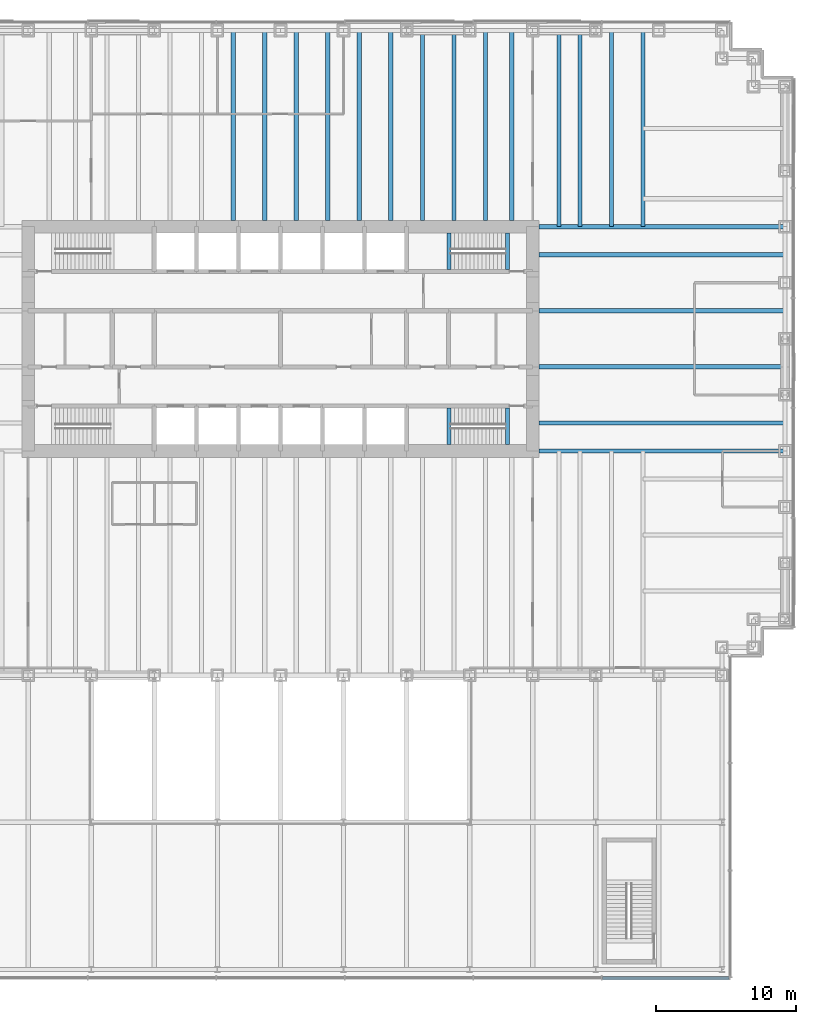
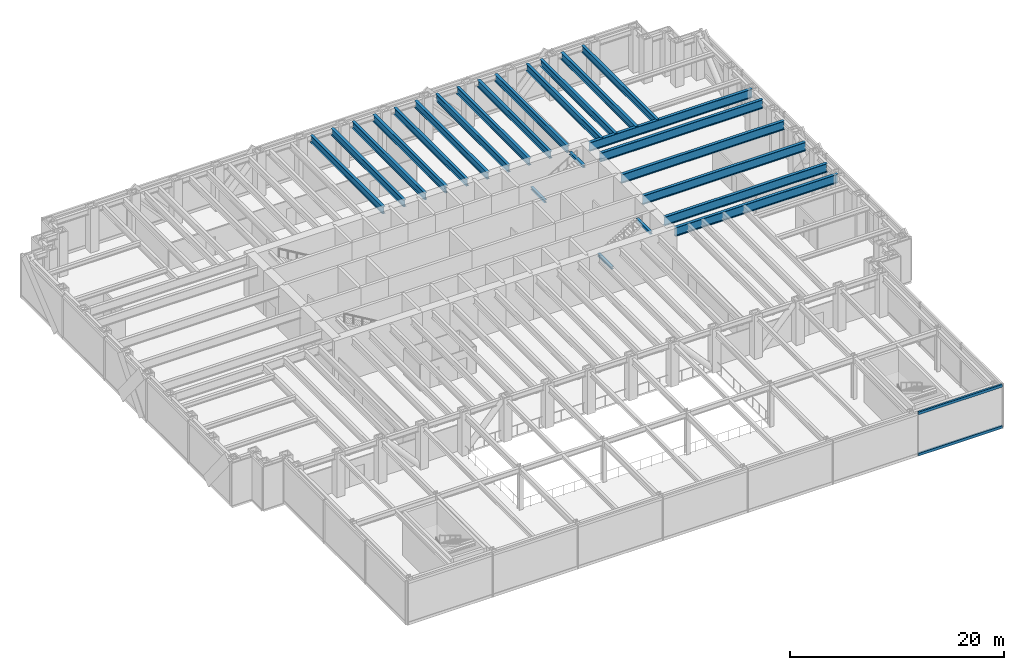
# One storey, part 6 of 17: 24 beams, 2 members, 1 element without a shape of its own.
"""IFC4 building model written with IfcOpenShell, lengths in metres."""

from ifc_helpers import new_model, si_unit, direction, frame, origin, origin_2d, place, context, subcontext, project, spatial, rectangle, i_section, extrude, material, material_profile, profile_set, type_object, element, aggregate, save


model = new_model("IFC4")

# Units and contexts
model_context = context("Model", 3, precision=1e-05, world=origin(), true_north=direction((0.0, 1.0)))
body_context = subcontext(model_context, "Body", "Model", "MODEL_VIEW")
ifc_project = project(units=[si_unit("LENGTHUNIT", "METRE"), si_unit("AREAUNIT", "SQUARE_METRE"), si_unit("VOLUMEUNIT", "CUBIC_METRE"), si_unit("PLANEANGLEUNIT", "RADIAN"), si_unit("MASSUNIT", "GRAM", prefix="KILO")], contexts=[model_context])

# Site, building, storey
site_placement = place(None, origin())
site = spatial("IfcSite", under=ifc_project, at=site_placement, CompositionType="ELEMENT")
building_placement = place(site_placement, origin())
building = spatial("IfcBuilding", under=site, at=building_placement, Name="Rheinbord Bourse Tower", CompositionType="ELEMENT")
storey_placement = place(building_placement, frame((0.0, 0.0, 18.0)))
storey = spatial("IfcBuildingStorey", under=building, at=storey_placement, Name="L03", CompositionType="ELEMENT", Elevation=18.0)

# Curtain wall, members
ifc_material_1 = material(Name="Dark glass and black aluminium", Category="aluminium")
curtain_wall_type = type_object("IfcCurtainWallType", Name="CW4 DARK GLASS CURTAIN WALL", PredefinedType="USERDEFINED", material=ifc_material_1)
curtain_wall_placement = place(storey_placement, origin())
curtain_wall = element("IfcCurtainWall", 1, at=curtain_wall_placement, inside=storey, type_object=curtain_wall_type, Name="Curtain wall CW4 S L03", ObjectType="UNITISED CURTAIN WALL", PredefinedType="USERDEFINED")
ifc_material_2 = material(Name="Black anodised aluminium", Category="aluminium")
ifc_material_profile_1 = material_profile(ifc_material_2, rectangle(XDim=0.199951171875, YDim=0.300048828125, at=origin_2d()), Name="CW4 TRANSOM 300x200")
ifc_profile_set_1 = profile_set([ifc_material_profile_1], Name="Black anodised aluminium")
member_type = type_object("IfcMemberType", Name="CW4 BLACK TRANSOM", PredefinedType="USERDEFINED", material=ifc_profile_set_1)
member_1_placement = place(storey_placement, frame((58.9736328125, -21.60009765625, 0.14990234375), z_axis=(1.0, 0.0, 0.0), x_axis=(0.0, 1.0, 0.0)))
member_1 = element("IfcMember", 2, at=member_1_placement, type_object=member_type, Name="CW4 transom 7.1", ObjectType="TRANSOM", PredefinedType="USERDEFINED", context=body_context, shape_type="SweptSolid", body=[
    extrude(rectangle(XDim=0.199951171875, YDim=0.300048828125, at=origin_2d()), origin(), (0.0, 0.0, 1.0), 9.036376953125),
])
member_2_placement = place(storey_placement, frame((58.9736328125, -21.60009765625, 4.85009765625), z_axis=(1.0, 0.0, 0.0), x_axis=(0.0, 1.0, 0.0)))
member_2 = element("IfcMember", 3, at=member_2_placement, type_object=member_type, Name="CW4 transom 7.2", ObjectType="TRANSOM", PredefinedType="USERDEFINED", context=body_context, shape_type="SweptSolid", body=[
    extrude(rectangle(XDim=0.199951171875, YDim=0.300048828125, at=origin_2d()), origin(), (0.0, 0.0, 1.0), 9.036376953125),
])
aggregate(curtain_wall, [member_1, member_2])

# Beams
ifc_material_3 = material(Name="Steel S460", Category="steel")
ifc_material_profile_2 = material_profile(ifc_material_3, i_section(OverallWidth=0.302001953125, OverallDepth=1.008056640625, WebThickness=0.02099609375, FlangeThickness=0.0400390625, at=origin_2d()), Name="HEM 1000")
ifc_profile_set_2 = profile_set([ifc_material_profile_2], Name="Steel S460")
beam_type_1 = type_object("IfcBeamType", Name="END BEAM HEM 1000", PredefinedType="BEAM", material=ifc_profile_set_2)
for number, where, z_axis, x_axis, name in (
    (4, (54.449951171875, 18.0, 4.31591796875), (1.0, 0.0, 0.0), (0.0, 1.0, 0.0), "End beam east 18 L04"),
    (5, (54.449951171875, 22.0, 4.31591796875), (1.0, 0.0, 0.0), (0.0, 1.0, 0.0), "End beam east 22 L04"),
    (6, (54.449951171875, 26.0, 4.31591796875), (1.0, 0.0, 0.0), (0.0, 1.0, 0.0), "End beam east 26 L04"),
    (7, (54.449951171875, 30.0, 4.31591796875), (1.0, 0.0, 0.0), (0.0, 1.0, 0.0), "End beam east 30 L04"),
):
    element("IfcBeam", number, at=place(storey_placement, frame(where, z_axis=z_axis, x_axis=x_axis)), inside=storey, type_object=beam_type_1, Name=name, PredefinedType="BEAM", context=body_context, shape_type="SweptSolid", body=[
        extrude(i_section(OverallWidth=0.302001953125, OverallDepth=1.008056640625, WebThickness=0.02099609375, FlangeThickness=0.0400390625, at=origin_2d()), origin(), (0.0, 0.0, 1.0), 17.550048828125),
    ])
ifc_material_4 = material(Name="Steel S460", Category="steel")
ifc_material_profile_3 = material_profile(ifc_material_4, i_section(OverallWidth=0.300048828125, OverallDepth=0.800048828125, WebThickness=0.017578125, FlangeThickness=0.032958984375, at=origin_2d()), Name="HEB 800")
ifc_profile_set_3 = profile_set([ifc_material_profile_3], Name="Steel S460")
beam_type_2 = type_object("IfcBeamType", Name="FLOOR BEAM HEB 800", PredefinedType="BEAM", material=ifc_profile_set_3)
for number, where, z_axis, x_axis, name in (
    (8, (32.625, 46.0, 4.419921875), (0.0, -1.0, 0.0), (1.0, 0.0, 0.0), "Floor beam N-31.5a L04"),
    (9, (34.875, 46.0, 4.419921875), (0.0, -1.0, 0.0), (1.0, 0.0, 0.0), "Floor beam N-31.5b L04"),
    (10, (37.125, 46.0, 4.419921875), (0.0, -1.0, 0.0), (1.0, 0.0, 0.0), "Floor beam N-36a L04"),
    (11, (39.375, 46.0, 4.419921875), (0.0, -1.0, 0.0), (1.0, 0.0, 0.0), "Floor beam N-36b L04"),
    (12, (41.625, 46.0, 4.419921875), (0.0, -1.0, 0.0), (1.0, 0.0, 0.0), "Floor beam N-40.5a L04"),
    (13, (43.875, 46.0, 4.419921875), (0.0, -1.0, 0.0), (1.0, 0.0, 0.0), "Floor beam N-40.5b L04"),
    (14, (46.125, 46.0, 4.419921875), (0.0, -1.0, 0.0), (1.0, 0.0, 0.0), "Floor beam N-45a L04"),
    (15, (48.375, 46.0, 4.419921875), (0.0, -1.0, 0.0), (1.0, 0.0, 0.0), "Floor beam N-45b L04"),
    (16, (50.625, 46.0, 4.419921875), (0.0, -1.0, 0.0), (1.0, 0.0, 0.0), "Floor beam N-49.5a L04"),
    (17, (52.5, 46.0, 4.419921875), (0.0, -1.0, 0.0), (1.0, 0.0, 0.0), "Floor beam N-49.5b L04"),
):
    element("IfcBeam", number, at=place(storey_placement, frame(where, z_axis=z_axis, x_axis=x_axis)), inside=storey, type_object=beam_type_2, Name=name, PredefinedType="BEAM", context=body_context, shape_type="SweptSolid", body=[
        extrude(i_section(OverallWidth=0.300048828125, OverallDepth=0.800048828125, WebThickness=0.017578125, FlangeThickness=0.032958984375, at=origin_2d()), origin(), (0.0, 0.0, 1.0), 13.550048828125),
    ])
for number, where, z_axis, x_axis, name in (
    (18, (55.875, 46.0, 4.419921875), (0.0, -1.0, 0.0), (1.0, 0.0, 0.0), "Floor beam N-54a L04"),
    (19, (57.375, 46.0, 4.419921875), (0.0, -1.0, 0.0), (1.0, 0.0, 0.0), "Floor beam N-54b L04"),
    (20, (59.625, 46.0, 4.419921875), (0.0, -1.0, 0.0), (1.0, 0.0, 0.0), "Floor beam N-58.5a L04"),
    (21, (61.875, 46.0, 4.419921875), (0.0, -1.0, 0.0), (1.0, 0.0, 0.0), "Floor beam N-58.5b L04"),
):
    element("IfcBeam", number, at=place(storey_placement, frame(where, z_axis=z_axis, x_axis=x_axis)), inside=storey, type_object=beam_type_2, Name=name, PredefinedType="BEAM", context=body_context, shape_type="SweptSolid", body=[
        extrude(i_section(OverallWidth=0.300048828125, OverallDepth=0.800048828125, WebThickness=0.017578125, FlangeThickness=0.032958984375, at=origin_2d()), origin(), (0.0, 0.0, 1.0), 14.0),
    ])
ifc_material_5 = material(Name="Steel S460", Category="steel")
ifc_material_profile_4 = material_profile(ifc_material_5, i_section(OverallWidth=0.302001953125, OverallDepth=1.008056640625, WebThickness=0.02099609375, FlangeThickness=0.0400390625, at=origin_2d()), Name="HEM 1000")
ifc_profile_set_4 = profile_set([ifc_material_profile_4], Name="Steel S460")
beam_type_3 = type_object("IfcBeamType", Name="GIRDER HEM 1000", PredefinedType="BEAM", material=ifc_profile_set_4)
for number, where, z_axis, x_axis, name in (
    (22, (54.449951171875, 16.0, 4.31591796875), (1.0, 0.0, 0.0), (0.0, 1.0, 0.0), "Girder east 16 L04"),
    (23, (54.449951171875, 32.0, 4.31591796875), (1.0, 0.0, 0.0), (0.0, 1.0, 0.0), "Girder east 32 L04"),
):
    element("IfcBeam", number, at=place(storey_placement, frame(where, z_axis=z_axis, x_axis=x_axis)), inside=storey, type_object=beam_type_3, Name=name, PredefinedType="BEAM", context=body_context, shape_type="SweptSolid", body=[
        extrude(i_section(OverallWidth=0.302001953125, OverallDepth=1.008056640625, WebThickness=0.02099609375, FlangeThickness=0.0400390625, at=origin_2d()), origin(), (0.0, 0.0, 1.0), 17.550048828125),
    ])
ifc_material_6 = material(Name="Steel S460", Category="steel")
ifc_material_profile_5 = material_profile(ifc_material_6, i_section(OverallWidth=0.300048828125, OverallDepth=0.300048828125, WebThickness=0.010986328125, FlangeThickness=0.01904296875, at=origin_2d()), Name="HEB 300")
ifc_profile_set_5 = profile_set([ifc_material_profile_5], Name="Steel S460")
beam_type_4 = type_object("IfcBeamType", Name="LANDING TRIMMER HEB 300", PredefinedType="BEAM", material=ifc_profile_set_5)
for number, where, z_axis, x_axis, name in (
    (24, (48.030029296875, 16.449951171875, 2.14990234375), (0.0, 1.0, 0.0), (-1.0, 0.0, 0.0), "Landing trimmer ST3 L03"),
    (25, (52.199951171875, 16.449951171875, 4.669921875), (0.0, 1.0, 0.0), (-1.0, 0.0, 0.0), "Well trimmer ST3 under L04"),
    (26, (48.030029296875, 28.949951171875, 2.14990234375), (0.0, 1.0, 0.0), (-1.0, 0.0, 0.0), "Landing trimmer ST4 L03"),
    (27, (52.199951171875, 28.949951171875, 4.669921875), (0.0, 1.0, 0.0), (-1.0, 0.0, 0.0), "Well trimmer ST4 under L04"),
):
    element("IfcBeam", number, at=place(storey_placement, frame(where, z_axis=z_axis, x_axis=x_axis)), inside=storey, type_object=beam_type_4, Name=name, PredefinedType="BEAM", context=body_context, shape_type="SweptSolid", body=[
        extrude(i_section(OverallWidth=0.300048828125, OverallDepth=0.300048828125, WebThickness=0.010986328125, FlangeThickness=0.01904296875, at=origin_2d()), origin(), (0.0, 0.0, 1.0), 2.60009765625),
    ])

save(model, "model.ifc")
